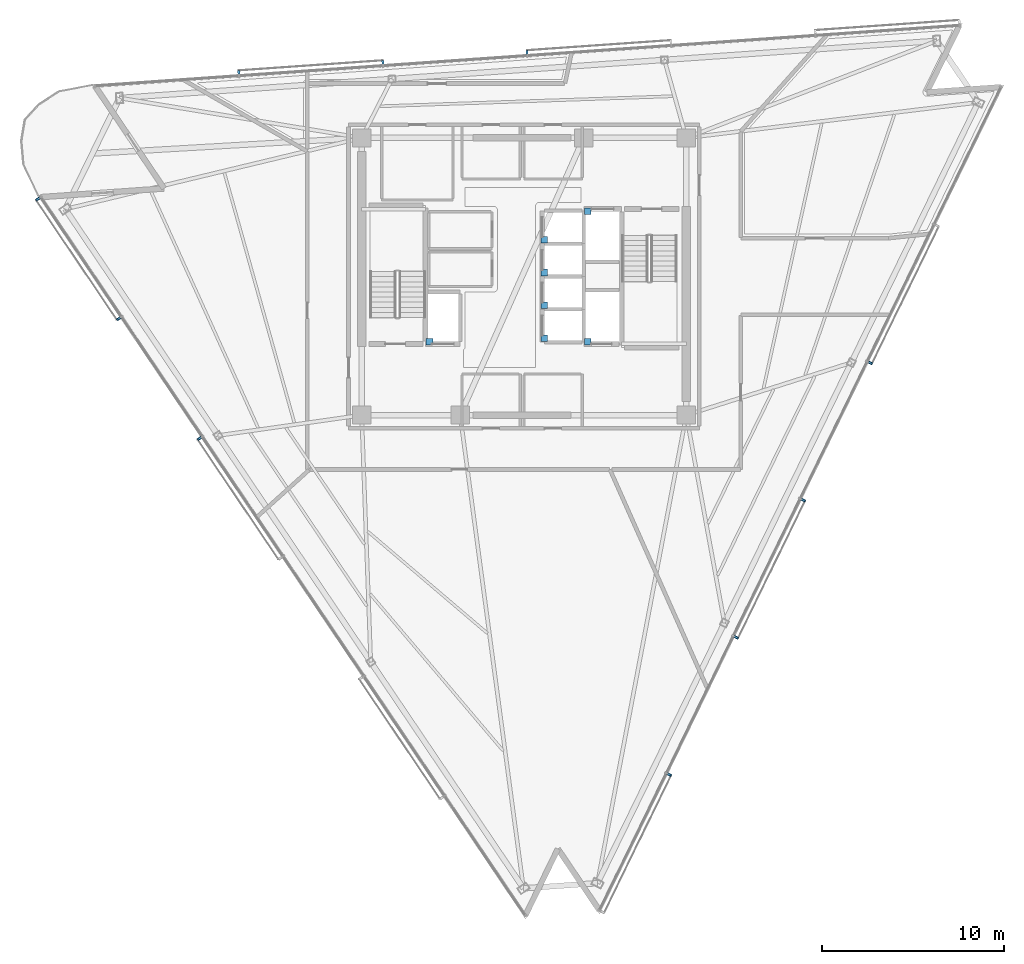
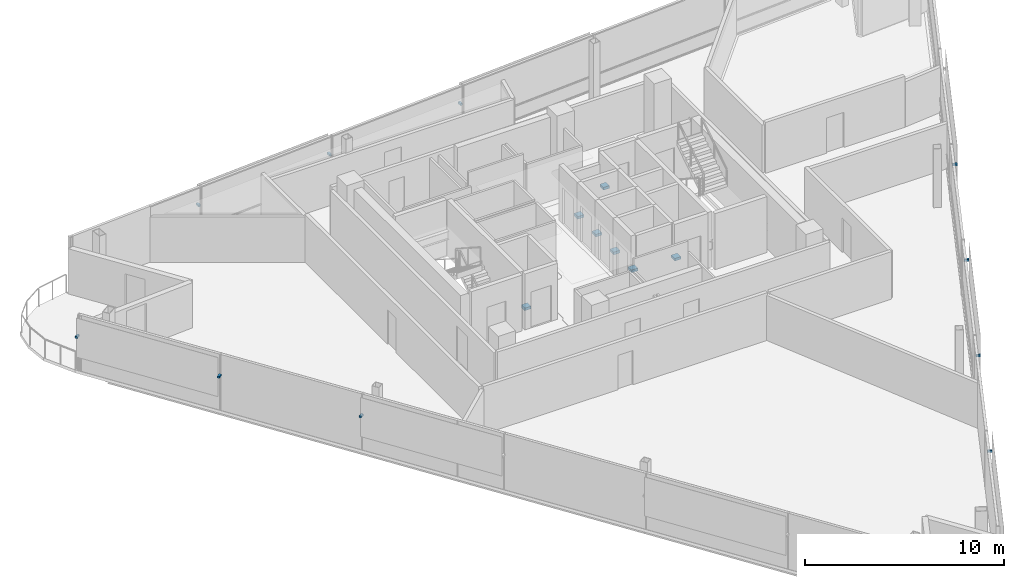
# One storey, part 12 of 16: 17 discrete accessories.
"""IFC4 building model written with IfcOpenShell, lengths in metres."""

from ifc_helpers import new_model, si_unit, direction, frame, origin, origin_2d, place, context, subcontext, project, spatial, rectangle, extrude, material, type_object, element, save


model = new_model("IFC4")

# Units and contexts
model_context = context("Model", 3, precision=1e-05, world=origin(), true_north=direction((0.0, 1.0)))
body_context = subcontext(model_context, "Body", "Model", "MODEL_VIEW")
ifc_project = project(units=[si_unit("LENGTHUNIT", "METRE"), si_unit("AREAUNIT", "SQUARE_METRE"), si_unit("VOLUMEUNIT", "CUBIC_METRE"), si_unit("PLANEANGLEUNIT", "RADIAN"), si_unit("MASSUNIT", "GRAM", prefix="KILO")], contexts=[model_context])

# Site, building, storey
site_placement = place(None, origin())
site = spatial("IfcSite", under=ifc_project, at=site_placement, CompositionType="ELEMENT")
building_placement = place(site_placement, origin())
building = spatial("IfcBuilding", under=site, at=building_placement, Name="Tharavind Bronze Gate", CompositionType="ELEMENT")
storey_placement = place(building_placement, frame((0.0, 0.0, 271.39990234375)))
storey = spatial("IfcBuildingStorey", under=building, at=storey_placement, Name="L70", CompositionType="ELEMENT", Elevation=271.39990234375)

# Discrete accessories
ifc_material_1 = material(Name="Galvanised Steel S355", Category="steel")
discrete_accessory_type_1 = type_object("IfcDiscreteAccessoryType", Name="LIFT GUIDE RAIL BRACKET", PredefinedType="BRACKET", material=ifc_material_1)
for number, where, z_axis, x_axis, name in (
    (1, (1.1201171875, -3.3798828125, 1.1201171875), (0.0, 0.0, 1.0), (1.0, 0.0, 0.0), "Lift PL9 guide rail bracket at L70"),
    (2, (1.1201171875, -1.580078125, 1.1201171875), (0.0, 0.0, 1.0), (1.0, 0.0, 0.0), "Lift PL10 guide rail bracket at L70"),
    (3, (1.1201171875, 0.219970703125, 1.1201171875), (0.0, 0.0, 1.0), (1.0, 0.0, 0.0), "Lift PL11 guide rail bracket at L70"),
    (4, (1.1201171875, 2.02001953125, 1.1201171875), (0.0, 0.0, 1.0), (1.0, 0.0, 0.0), "Lift PL12 guide rail bracket at L70"),
    (5, (-5.179931640625, -3.580078125, 1.1201171875), (0.0, 0.0, 1.0), (1.0, 0.0, 0.0), "Lift FFL1 guide rail bracket at L70"),
    (6, (3.5, 3.580078125, 1.1201171875), (0.0, 0.0, 1.0), (1.0, 0.0, 0.0), "Lift FFL2 guide rail bracket at L70"),
    (7, (3.5, -3.580078125, 1.1201171875), (0.0, 0.0, 1.0), (1.0, 0.0, 0.0), "Lift SVL1 guide rail bracket at L70"),
):
    element("IfcDiscreteAccessory", number, at=place(storey_placement, frame(where, z_axis=z_axis, x_axis=x_axis)), inside=storey, type_object=discrete_accessory_type_1, Name=name, PredefinedType="BRACKET", context=body_context, shape_type="SweptSolid", body=[
        extrude(rectangle(XDim=0.360107421875, YDim=0.360107421875, at=origin_2d()), origin(), (0.0, 0.0, 1.0), 0.159912109375),
    ])
ifc_material_2 = material(Name="Stainless Steel 316", Category="steel")
discrete_accessory_type_2 = type_object("IfcDiscreteAccessoryType", Name="SOLAR SCREEN STANDOFF BRACKET", PredefinedType="BRACKET", material=ifc_material_2)
for number, where, z_axis, x_axis, name in (
    (8, (-26.647216796875, 4.25146484375, 2.10009765625), (0.0, 0.0, 1.0), (0.559191456526, -0.82903854853, 0.0), "CW-L70-S1 solar screen bracket 1.1"),
    (9, (-22.21826171875, -2.314697265625, 2.10009765625), (0.0, 0.0, 1.0), (0.559191456526, -0.82903854853, 0.0), "CW-L70-S1 solar screen bracket 1.2"),
    (10, (-17.789306640625, -8.881103515625, 2.10009765625), (0.0, 0.0, 1.0), (0.559191456526, -0.82903854853, 0.0), "CW-L70-S1 solar screen bracket 3.1"),
    (11, (7.966064453125, -27.3154296875, 2.10009765625), (0.0, 0.0, 1.0), (0.43837271548, 0.898793281196, 0.0), "CW-L70-S2 solar screen bracket 1.2"),
    (12, (11.63623046875, -19.79052734375, 2.10009765625), (0.0, 0.0, 1.0), (0.43837271548, 0.898793281196, 0.0), "CW-L70-S2 solar screen bracket 3.1"),
    (13, (15.306396484375, -12.265380859375, 2.10009765625), (0.0, 0.0, 1.0), (0.43837271548, 0.898793281196, 0.0), "CW-L70-S2 solar screen bracket 3.2"),
    (14, (18.9765625, -4.740478515625, 2.10009765625), (0.0, 0.0, 1.0), (0.43837271548, 0.898793281196, 0.0), "CW-L70-S2 solar screen bracket 5.1"),
    (15, (0.164794921875, 12.283203125, 2.10009765625), (0.0, 0.0, 1.0), (-0.997563806758, -0.069759955899, 0.0), "CW-L70-S3 solar screen bracket 3.2"),
    (16, (-7.736328125, 11.730712890625, 2.10009765625), (0.0, 0.0, 1.0), (-0.997563806758, -0.069759955899, 0.0), "CW-L70-S3 solar screen bracket 5.1"),
    (17, (-15.63720703125, 11.177978515625, 2.10009765625), (0.0, 0.0, 1.0), (-0.997563806758, -0.069759955899, 0.0), "CW-L70-S3 solar screen bracket 5.2"),
):
    element("IfcDiscreteAccessory", number, at=place(storey_placement, frame(where, z_axis=z_axis, x_axis=x_axis)), inside=storey, type_object=discrete_accessory_type_2, Name=name, PredefinedType="BRACKET", context=body_context, shape_type="SweptSolid", body=[
        extrude(rectangle(XDim=0.1201171875, YDim=0.239990234375, at=origin_2d()), origin(), (0.0, 0.0, 1.0), 0.1201171875),
    ])

save(model, "model.ifc")
